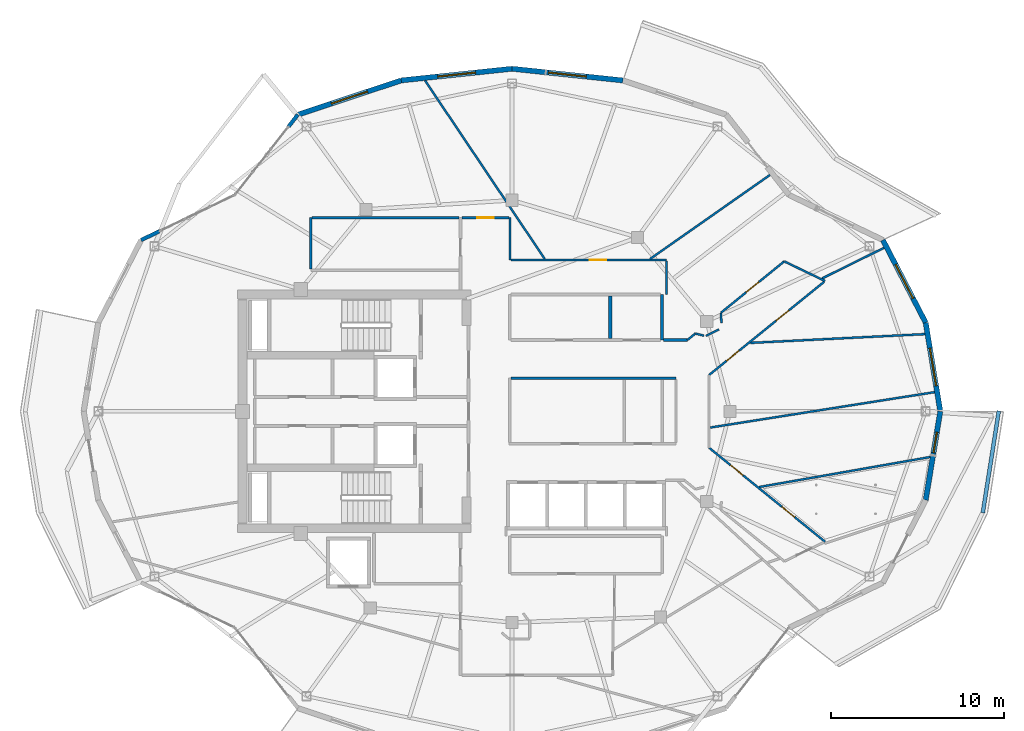
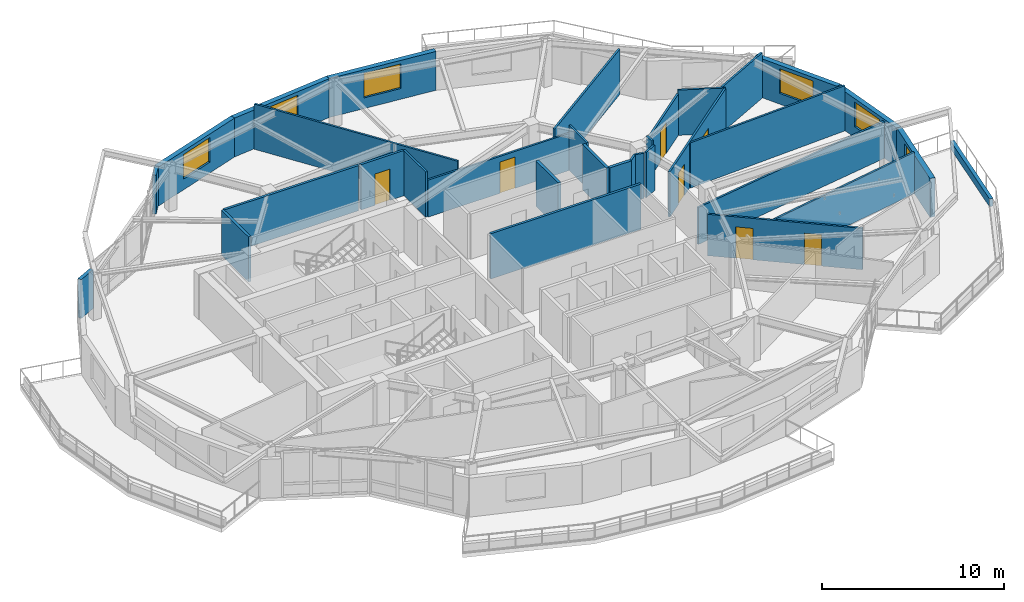
# One storey, part 10 of 16: 33 walls, 7 doors, 6 windows, 13 openings.
"""IFC4 building model written with IfcOpenShell, lengths in metres."""

from ifc_helpers import new_model, si_unit, direction, frame, frame_2d, origin, place, context, subcontext, project, spatial, rectangle, extrude, material, layer, layer_set, type_object, element, fill, save


model = new_model("IFC4")

# Units and contexts
model_context = context("Model", 3, precision=1e-05, world=origin(), true_north=direction((0.0, 1.0)))
body_context = subcontext(model_context, "Body", "Model", "MODEL_VIEW")
ifc_project = project(units=[si_unit("LENGTHUNIT", "METRE"), si_unit("AREAUNIT", "SQUARE_METRE"), si_unit("VOLUMEUNIT", "CUBIC_METRE"), si_unit("PLANEANGLEUNIT", "RADIAN"), si_unit("MASSUNIT", "GRAM", prefix="KILO")], contexts=[model_context])

# Site, building, storey
site_placement = place(None, origin())
site = spatial("IfcSite", under=ifc_project, at=site_placement, CompositionType="ELEMENT")
building_placement = place(site_placement, origin())
building = spatial("IfcBuilding", under=site, at=building_placement, Name="Kolvaren Gate Tower and Convention Centre", CompositionType="ELEMENT")
storey_placement = place(building_placement, frame((0.0, 0.0, 219.5)))
storey = spatial("IfcBuildingStorey", under=building, at=storey_placement, Name="L58", CompositionType="ELEMENT", Elevation=219.5)

# Walls
ifc_material_1 = material(Name="Autoclaved Aerated Masonry Blockwork Class 4 (4.0 MPa)", Category="masonry")
ifc_layer_1 = layer(ifc_material_1, 0.179931640625)
ifc_layer_set_1 = layer_set([ifc_layer_1], Name="Autoclaved Aerated Masonry Blockwork Class 4 (4.0 MPa)")
wall_type_1 = type_object("IfcWallType", Name="ARCH-WL-COMP-180", PredefinedType="SOLIDWALL", material=ifc_layer_set_1)
wall_1_placement = place(storey_placement, frame((38.800048828125, 31.1201171875, 0.0), z_axis=(0.0, 0.0, 1.0), x_axis=(0.0, 1.0, 0.0)))
element("IfcWall", 1, at=wall_1_placement, inside=storey, type_object=wall_type_1, Name="Interior Partition WL-L58-INT-022", PredefinedType="SOLIDWALL", context=body_context, shape_type="SweptSolid", body=[
    extrude(rectangle(XDim=2.6298828125, YDim=0.179931640625, at=frame_2d((1.31494140625, 0.0))), origin(), (0.0, 0.0, 1.0), 3.030029296875),
])
wall_2_placement = place(storey_placement, frame((38.89208984375, 31.1201171875, 0.0), z_axis=(0.0, 0.0, 1.0), x_axis=(1.0, 0.0, 0.0)))
element("IfcWall", 2, at=wall_2_placement, inside=storey, type_object=wall_type_1, Name="Interior Partition WL-L58-INT-023 (2)", PredefinedType="SOLIDWALL", context=body_context, shape_type="SweptSolid", body=[
    extrude(rectangle(XDim=1.36279296875, YDim=0.179931640625, at=frame_2d((0.681396484375, 0.0))), origin(), (0.0, 0.0, 1.0), 3.030029296875),
])
wall_3_placement = place(storey_placement, frame((35.800048828125, 31.2119140625, 0.0), z_axis=(0.0, 0.0, 1.0), x_axis=(0.0, 1.0, 0.0)))
element("IfcWall", 3, at=wall_3_placement, inside=storey, type_object=wall_type_1, Name="Interior Partition WL-L58-INT-025", PredefinedType="SOLIDWALL", context=body_context, shape_type="SweptSolid", body=[
    extrude(rectangle(XDim=2.446044921875, YDim=0.179931640625, at=frame_2d((1.22314453125, 0.0))), origin(), (0.0, 0.0, 1.0), 3.030029296875),
])
ifc_material_2 = material(Name="Fire-Rated Acoustic Gypsum Stud Partition", Category="gypsum")
ifc_layer_2 = layer(ifc_material_2, 0.1201171875)
ifc_layer_set_2 = layer_set([ifc_layer_2], Name="Fire-Rated Acoustic Gypsum Stud Partition")
wall_type_2 = type_object("IfcWallType", Name="ARCH-WL-PART-120", PredefinedType="PARTITIONING", material=ifc_layer_set_2)
wall_4_placement = place(storey_placement, frame((30.0, 35.75, 0.0), z_axis=(0.0, 0.0, 1.0), x_axis=(0.0, 1.0, 0.0)))
element("IfcWall", 4, at=wall_4_placement, inside=storey, type_object=wall_type_2, Name="Interior Partition WL-L58-INT-017", PredefinedType="PARTITIONING", context=body_context, shape_type="SweptSolid", body=[
    extrude(rectangle(XDim=2.449951171875, YDim=0.1201171875, at=frame_2d((1.22509765625, 0.0))), origin(), (0.0, 0.0, 1.0), 3.030029296875),
])

# Wall, opening, door
wall_5_placement = place(storey_placement, frame((30.06201171875, 35.75, 0.0), z_axis=(0.0, 0.0, 1.0), x_axis=(1.0, 0.0, 0.0)))
wall_5 = element("IfcWall", 5, at=wall_5_placement, inside=storey, type_object=wall_type_2, Name="Interior Partition WL-L58-INT-031", PredefinedType="PARTITIONING", context=body_context, shape_type="SweptSolid", body=[
    extrude(rectangle(XDim=8.988037109375, YDim=0.1201171875, at=frame_2d((4.494140625, 0.0))), origin(), (0.0, 0.0, 1.0), 2.47802734375),
])
opening_1_placement = place(wall_5_placement, frame((4.566650390625, 0.0, 0.0)))
opening_1 = element("IfcOpeningElement", 6, at=opening_1_placement, cuts=wall_5, Name="Opening DR-01", PredefinedType="OPENING", context=body_context, shape_type="SweptSolid", body=[
    extrude(rectangle(XDim=0.949951171875, YDim=2.10009765625, at=frame_2d((0.47509765625, 1.050048828125))), frame((0.0, 0.070068359375, 0.0), z_axis=(0.0, -1.0, 0.0), x_axis=(1.0, 0.0, 0.0)), (0.0, 0.0, 1.0), 0.14013671875),
])
ifc_material_3 = material(Name="Painted Architectural Steelwork ASTM A500 Grade C 345 MPa", Category="steel")
door_type = type_object("IfcDoorType", Name="ARCH-DR-RISER-950", OperationType="SINGLE_SWING_RIGHT", PredefinedType="DOOR", material=ifc_material_3)
door_1_placement = place(opening_1_placement, origin())
door_1 = element("IfcDoor", 7, at=door_1_placement, inside=storey, type_object=door_type, Name="Resident Private Study and Home Office Door", OperationType="SINGLE_SWING_LEFT", OverallHeight=2.10009765625, OverallWidth=0.949951171875, PredefinedType="DOOR", context=body_context, shape_type="SweptSolid", body=[
    extrude(rectangle(XDim=0.949951171875, YDim=2.10009765625, at=frame_2d((0.47509765625, 1.050048828125))), frame((0.0, 0.02490234375, 0.0), z_axis=(0.0, -1.0, 0.0), x_axis=(1.0, 0.0, 0.0)), (0.0, 0.0, 1.0), 0.050048828125),
])
fill(opening_1, door_1)

# Walls
wall_6_placement = place(storey_placement, frame((39.050048828125, 33.75, 0.0), z_axis=(0.0, 0.0, 1.0), x_axis=(0.0, 1.0, 0.0)))
element("IfcWall", 8, at=wall_6_placement, inside=storey, type_object=wall_type_2, Name="Interior Partition WL-L58-INT-033", PredefinedType="PARTITIONING", context=body_context, shape_type="SweptSolid", body=[
    extrude(rectangle(XDim=1.93798828125, YDim=0.1201171875, at=frame_2d((0.968994140625, 0.0))), origin(), (0.0, 0.0, 1.0), 3.030029296875),
])
wall_7_placement = place(storey_placement, frame((40.2548828125, 31.1201171875, 0.0), z_axis=(0.0, 0.0, 1.0), x_axis=(0.776423627794, 0.630211353598, 0.0)))
element("IfcWall", 9, at=wall_7_placement, inside=storey, type_object=wall_type_2, Name="Interior Partition WL-L58-INT-034", PredefinedType="PARTITIONING", context=body_context, shape_type="SweptSolid", body=[
    extrude(rectangle(XDim=0.602783203125, YDim=0.1201171875, at=frame_2d((0.30126953125, 0.0))), origin(), (0.0, 0.0, 1.0), 3.030029296875),
])

# Wall, opening, door
wall_8_placement = place(storey_placement, frame((42.1962890625, 32.6962890625, 0.0), z_axis=(0.0, 0.0, 1.0), x_axis=(0.776319732197, 0.630339331949, 0.0)))
wall_8 = element("IfcWall", 10, at=wall_8_placement, inside=storey, type_object=wall_type_2, Name="Interior Partition WL-L58-INT-035", PredefinedType="PARTITIONING", context=body_context, shape_type="SweptSolid", body=[
    extrude(rectangle(XDim=4.718017578125, YDim=0.1201171875, at=frame_2d((2.35888671875, 0.0))), origin(), (0.0, 0.0, 1.0), 2.77001953125),
])
opening_2_placement = place(wall_8_placement, frame((1.884033203125, 0.0, 0.0)))
opening_2 = element("IfcOpeningElement", 11, at=opening_2_placement, cuts=wall_8, Name="Opening DR-01", PredefinedType="OPENING", context=body_context, shape_type="SweptSolid", body=[
    extrude(rectangle(XDim=0.949951171875, YDim=2.10009765625, at=frame_2d((0.47509765625, 1.050048828125))), frame((0.0, 0.070068359375, 0.0), z_axis=(0.0, -1.0, 0.0), x_axis=(1.0, 0.0, 0.0)), (0.0, 0.0, 1.0), 0.14013671875),
])
door_2_placement = place(opening_2_placement, origin())
door_2 = element("IfcDoor", 12, at=door_2_placement, inside=storey, type_object=door_type, Name="Resident Quiet Study Office Door", OperationType="SINGLE_SWING_RIGHT", OverallHeight=2.10009765625, OverallWidth=0.949951171875, PredefinedType="DOOR", context=body_context, shape_type="SweptSolid", body=[
    extrude(rectangle(XDim=0.949951171875, YDim=2.10009765625, at=frame_2d((0.47509765625, 1.050048828125))), frame((0.0, 0.02490234375, 0.0), z_axis=(0.0, -1.0, 0.0), x_axis=(1.0, 0.0, 0.0)), (0.0, 0.0, 1.0), 0.050048828125),
])
fill(opening_2, door_2)

# Walls
wall_9_placement = place(storey_placement, frame((40.722900390625, 31.5, 0.0), z_axis=(0.0, 0.0, 1.0), x_axis=(0.970029850173, -0.24298578101, 0.0)))
element("IfcWall", 13, at=wall_9_placement, inside=storey, type_object=wall_type_2, Name="Interior Partition WL-L58-INT-036", PredefinedType="PARTITIONING", context=body_context, shape_type="SweptSolid", body=[
    extrude(rectangle(XDim=0.510498046875, YDim=0.1201171875, at=frame_2d((0.25537109375, 0.0))), origin(), (0.0, 0.0, 1.0), 3.030029296875),
])
wall_10_placement = place(storey_placement, frame((42.197998046875, 32.694091796875, 0.0), z_axis=(0.0, 0.0, 1.0), x_axis=(0.048629948931, -0.998816864128, 0.0)))
element("IfcWall", 14, at=wall_10_placement, inside=storey, type_object=wall_type_2, Name="Interior Partition WL-L58-INT-037", PredefinedType="PARTITIONING", context=body_context, shape_type="SweptSolid", body=[
    extrude(rectangle(XDim=0.577392578125, YDim=0.1201171875, at=frame_2d((0.28857421875, 0.0))), origin(), (0.0, 0.0, 1.0), 3.030029296875),
])
wall_11_placement = place(storey_placement, frame((45.864013671875, 35.6640625, 0.0), z_axis=(0.0, 0.0, 1.0), x_axis=(0.901492416592, -0.432794896951, 0.0)))
element("IfcWall", 15, at=wall_11_placement, inside=storey, type_object=wall_type_2, Name="Interior Partition WL-L58-INT-038", PredefinedType="PARTITIONING", context=body_context, shape_type="SweptSolid", body=[
    extrude(rectangle(XDim=2.611328125, YDim=0.1201171875, at=frame_2d((1.3056640625, 0.0))), origin(), (0.0, 0.0, 1.0), 3.030029296875),
])

# Wall, openings, doors
wall_12_placement = place(storey_placement, frame((41.52001953125, 29.10791015625, 0.0), z_axis=(0.0, 0.0, 1.0), x_axis=(0.777032738693, 0.629460183808, 0.0)))
wall_12 = element("IfcWall", 16, at=wall_12_placement, inside=storey, type_object=wall_type_2, Name="Interior Partition WL-L58-INT-039", PredefinedType="PARTITIONING", context=body_context, shape_type="SweptSolid", body=[
    extrude(rectangle(XDim=8.551513671875, YDim=0.1201171875, at=frame_2d((4.27587890625, 0.0))), origin(), (0.0, 0.0, 1.0), 3.030029296875),
])
opening_3_placement = place(wall_12_placement, frame((1.2783203125, 0.0, 0.0)))
opening_3 = element("IfcOpeningElement", 17, at=opening_3_placement, cuts=wall_12, Name="Opening DR-01", PredefinedType="OPENING", context=body_context, shape_type="SweptSolid", body=[
    extrude(rectangle(XDim=0.949951171875, YDim=2.10009765625, at=frame_2d((0.47509765625, 1.050048828125))), frame((0.0, 0.070068359375, 0.0), z_axis=(0.0, -1.0, 0.0), x_axis=(1.0, 0.0, 0.0)), (0.0, 0.0, 1.0), 0.14013671875),
])
opening_4_placement = place(wall_12_placement, frame((4.976806640625, 0.0, 0.0)))
opening_4 = element("IfcOpeningElement", 18, at=opening_4_placement, cuts=wall_12, Name="Opening DR-01", PredefinedType="OPENING", context=body_context, shape_type="SweptSolid", body=[
    extrude(rectangle(XDim=0.949951171875, YDim=2.10009765625, at=frame_2d((0.47509765625, 1.050048828125))), frame((0.0, 0.070068359375, 0.0), z_axis=(0.0, -1.0, 0.0), x_axis=(1.0, 0.0, 0.0)), (0.0, 0.0, 1.0), 0.14013671875),
])
door_3_placement = place(opening_3_placement, origin())
door_3 = element("IfcDoor", 19, at=door_3_placement, inside=storey, type_object=door_type, Name="Resident Quiet Study Office Door", OperationType="SINGLE_SWING_RIGHT", OverallHeight=2.10009765625, OverallWidth=0.949951171875, PredefinedType="DOOR", context=body_context, shape_type="SweptSolid", body=[
    extrude(rectangle(XDim=0.949951171875, YDim=2.10009765625, at=frame_2d((0.47509765625, 1.050048828125))), frame((0.0, 0.02490234375, 0.0), z_axis=(0.0, -1.0, 0.0), x_axis=(1.0, 0.0, 0.0)), (0.0, 0.0, 1.0), 0.050048828125),
])
fill(opening_3, door_3)
door_4_placement = place(opening_4_placement, origin())
door_4 = element("IfcDoor", 20, at=door_4_placement, inside=storey, type_object=door_type, Name="Resident Private Workroom Door", OperationType="SINGLE_SWING_LEFT", OverallHeight=2.10009765625, OverallWidth=0.949951171875, PredefinedType="DOOR", context=body_context, shape_type="SweptSolid", body=[
    extrude(rectangle(XDim=0.949951171875, YDim=2.10009765625, at=frame_2d((0.47509765625, 1.050048828125))), frame((0.0, 0.02490234375, 0.0), z_axis=(0.0, -1.0, 0.0), x_axis=(1.0, 0.0, 0.0)), (0.0, 0.0, 1.0), 0.050048828125),
])
fill(opening_4, door_4)

wall_13_placement = place(storey_placement, frame((41.52001953125, 24.89208984375, 0.0), z_axis=(0.0, 0.0, 1.0), x_axis=(0.777027167904, -0.629467060567, 0.0)))
wall_13 = element("IfcWall", 21, at=wall_13_placement, inside=storey, type_object=wall_type_2, Name="Interior Partition WL-L58-INT-041", PredefinedType="PARTITIONING", context=body_context, shape_type="SweptSolid", body=[
    extrude(rectangle(XDim=8.6201171875, YDim=0.1201171875, at=frame_2d((4.31005859375, 0.0))), origin(), (0.0, 0.0, 1.0), 2.77001953125),
])
opening_5_placement = place(wall_13_placement, frame((5.399658203125, 0.0, 0.0)))
opening_5 = element("IfcOpeningElement", 22, at=opening_5_placement, cuts=wall_13, Name="Opening DR-01", PredefinedType="OPENING", context=body_context, shape_type="SweptSolid", body=[
    extrude(rectangle(XDim=0.949951171875, YDim=2.10009765625, at=frame_2d((0.47509765625, 1.050048828125))), frame((0.0, 0.070068359375, 0.0), z_axis=(0.0, -1.0, 0.0), x_axis=(1.0, 0.0, 0.0)), (0.0, 0.0, 1.0), 0.14013671875),
])
opening_6_placement = place(wall_13_placement, frame((1.577880859375, 0.0, 0.0)))
opening_6 = element("IfcOpeningElement", 23, at=opening_6_placement, cuts=wall_13, Name="Opening DR-01", PredefinedType="OPENING", context=body_context, shape_type="SweptSolid", body=[
    extrude(rectangle(XDim=0.949951171875, YDim=2.10009765625, at=frame_2d((0.47509765625, 1.050048828125))), frame((0.0, 0.070068359375, 0.0), z_axis=(0.0, -1.0, 0.0), x_axis=(1.0, 0.0, 0.0)), (0.0, 0.0, 1.0), 0.14013671875),
])
door_5_placement = place(opening_5_placement, origin())
door_5 = element("IfcDoor", 24, at=door_5_placement, inside=storey, type_object=door_type, Name="Resident Sauna and Wellness Spa Door", OperationType="SINGLE_SWING_RIGHT", OverallHeight=2.10009765625, OverallWidth=0.949951171875, PredefinedType="DOOR", context=body_context, shape_type="SweptSolid", body=[
    extrude(rectangle(XDim=0.949951171875, YDim=2.10009765625, at=frame_2d((0.47509765625, 1.050048828125))), frame((0.0, 0.02490234375, 0.0), z_axis=(0.0, -1.0, 0.0), x_axis=(1.0, 0.0, 0.0)), (0.0, 0.0, 1.0), 0.050048828125),
])
fill(opening_5, door_5)
door_6_placement = place(opening_6_placement, origin())
door_6 = element("IfcDoor", 25, at=door_6_placement, inside=storey, type_object=door_type, Name="Resident Private Study Door", OperationType="SINGLE_SWING_LEFT", OverallHeight=2.10009765625, OverallWidth=0.949951171875, PredefinedType="DOOR", context=body_context, shape_type="SweptSolid", body=[
    extrude(rectangle(XDim=0.949951171875, YDim=2.10009765625, at=frame_2d((0.47509765625, 1.050048828125))), frame((0.0, 0.02490234375, 0.0), z_axis=(0.0, -1.0, 0.0), x_axis=(1.0, 0.0, 0.0)), (0.0, 0.0, 1.0), 0.050048828125),
])
fill(opening_6, door_6)

# Walls
wall_14_placement = place(storey_placement, frame((41.58203125, 26.06640625, 0.0), z_axis=(0.0, 0.0, 1.0), x_axis=(0.987780616659, 0.155850740621, 0.0)))
element("IfcWall", 26, at=wall_14_placement, inside=storey, type_object=wall_type_2, Name="Interior Partition WL-L58-INT-058", PredefinedType="PARTITIONING", context=body_context, shape_type="SweptSolid", body=[
    extrude(rectangle(XDim=13.1162109375, YDim=0.1201171875, at=frame_2d((6.55810546875, 0.0))), origin(), (0.0, 0.0, 1.0), 2.47802734375),
])
wall_15_placement = place(storey_placement, frame((44.411865234375, 22.629150390625, 0.0), z_axis=(0.0, 0.0, 1.0), x_axis=(0.984937605234, 0.172910132136, 0.0)))
element("IfcWall", 27, at=wall_15_placement, inside=storey, type_object=wall_type_2, Name="Interior Partition WL-L58-INT-065", PredefinedType="PARTITIONING", context=body_context, shape_type="SweptSolid", body=[
    extrude(rectangle(XDim=10.0263671875, YDim=0.1201171875, at=frame_2d((5.01318359375, 0.0))), origin(), (0.0, 0.0, 1.0), 2.77001953125),
])
wall_16_placement = place(storey_placement, frame((43.9013671875, 30.957275390625, 0.0), z_axis=(0.0, 0.0, 1.0), x_axis=(0.998738311517, 0.050217378547, 0.0)))
element("IfcWall", 28, at=wall_16_placement, inside=storey, type_object=wall_type_2, Name="Interior Partition WL-L58-INT-066", PredefinedType="PARTITIONING", context=body_context, shape_type="SweptSolid", body=[
    extrude(rectangle(XDim=10.09765625, YDim=0.1201171875, at=frame_2d((5.048828125, 0.0))), origin(), (0.0, 0.0, 1.0), 3.030029296875),
])
wall_17_placement = place(storey_placement, frame((41.326171875, 31.363525390625, 0.0), z_axis=(0.0, 0.0, 1.0), x_axis=(0.896444200568, 0.443156626112, 0.0)))
element("IfcWall", 29, at=wall_17_placement, inside=storey, type_object=wall_type_2, Name="Interior Partition WL-L58-INT-067", PredefinedType="PARTITIONING", context=body_context, shape_type="SweptSolid", body=[
    extrude(rectangle(XDim=0.843505859375, YDim=0.1201171875, at=frame_2d((0.421875, 0.0))), origin(), (0.0, 0.0, 1.0), 3.030029296875),
])
wall_18_placement = place(storey_placement, frame((48.046875, 34.68505859375, 0.0), z_axis=(0.0, 0.0, 1.0), x_axis=(0.896512119569, 0.443019208912, 0.0)))
element("IfcWall", 30, at=wall_18_placement, inside=storey, type_object=wall_type_2, Name="Interior Partition WL-L58-INT-068", PredefinedType="PARTITIONING", context=body_context, shape_type="SweptSolid", body=[
    extrude(rectangle(XDim=3.986083984375, YDim=0.1201171875, at=frame_2d((1.9931640625, 0.0))), origin(), (0.0, 0.0, 1.0), 3.030029296875),
])
wall_19_placement = place(storey_placement, frame((38.109619140625, 35.81201171875, 0.0), z_axis=(0.0, 0.0, 1.0), x_axis=(0.81888313017, 0.57396029403, 0.0)))
element("IfcWall", 31, at=wall_19_placement, inside=storey, type_object=wall_type_2, Name="Interior Partition WL-L58-INT-069", PredefinedType="PARTITIONING", context=body_context, shape_type="SweptSolid", body=[
    extrude(rectangle(XDim=8.454833984375, YDim=0.1201171875, at=frame_2d((4.2275390625, 0.0))), origin(), (0.0, 0.0, 1.0), 3.030029296875),
])
wall_20_placement = place(storey_placement, frame((25.1005859375, 46.117919921875, 0.0), z_axis=(0.0, 0.0, 1.0), x_axis=(0.557162782685, -0.830403295749, 0.0)))
element("IfcWall", 32, at=wall_20_placement, inside=storey, type_object=wall_type_2, Name="Interior Partition WL-L58-INT-070", PredefinedType="PARTITIONING", context=body_context, shape_type="SweptSolid", body=[
    extrude(rectangle(XDim=12.41064453125, YDim=0.1201171875, at=frame_2d((6.205322265625, 0.0))), origin(), (0.0, 0.0, 1.0), 3.030029296875),
])
ifc_material_4 = material(Name="Bogota Sabana Bush-Hammered Sandstone Cladding", Category="masonry")
ifc_layer_3 = layer(ifc_material_4, 0.219970703125)
ifc_layer_set_3 = layer_set([ifc_layer_3], Name="Bogota Sabana Bush-Hammered Sandstone Cladding")
wall_type_3 = type_object("IfcWallType", Name="ARCH-WL-PIER-220", PredefinedType="SOLIDWALL", material=ifc_layer_set_3)
wall_21_placement = place(storey_placement, frame((17.210205078125, 43.457763671875, 0.0), z_axis=(0.0, 0.0, 1.0), x_axis=(0.616466126167, 0.787381429352, 0.0)))
element("IfcWall", 33, at=wall_21_placement, inside=storey, type_object=wall_type_3, Name="Tower L58 Unitised Curtain Wall CW-RES-UNIT Bay 08 Right Column Pier Wrap", PredefinedType="SOLIDWALL", context=body_context, shape_type="SweptSolid", body=[
    extrude(rectangle(XDim=0.875732421875, YDim=0.219970703125, at=frame_2d((0.43798828125, 0.0))), origin(), (0.0, 0.0, 1.0), 2.60498046875),
])
wall_22_placement = place(storey_placement, frame((8.69091796875, 36.89990234375, 0.0), z_axis=(0.0, 0.0, 1.0), x_axis=(0.901264843027, 0.433268603437, 0.0)))
element("IfcWall", 34, at=wall_22_placement, inside=storey, type_object=wall_type_3, Name="Tower L58 Unitised Curtain Wall CW-RES-UNIT Bay 09 Left Column Pier Wrap", PredefinedType="SOLIDWALL", context=body_context, shape_type="SweptSolid", body=[
    extrude(rectangle(XDim=1.18115234375, YDim=0.219970703125, at=frame_2d((0.590576171875, 0.0))), origin(), (0.0, 0.0, 1.0), 2.60498046875),
])
ifc_material_5 = material(Name="Piedmont Cream Honed Limestone Cladding", Category="masonry")
ifc_layer_4 = layer(ifc_material_5, 0.219970703125)
ifc_layer_set_4 = layer_set([ifc_layer_4], Name="Piedmont Cream Honed Limestone Cladding")
wall_type_4 = type_object("IfcWallType", Name="ARCH-WL-PLANTER-220", PredefinedType="PARAPET", material=ifc_layer_set_4)
wall_23_placement = place(storey_placement, frame((57.331787109375, 21.1376953125, 0.0), z_axis=(0.0, 0.0, 1.0), x_axis=(0.1550711793, 0.987903299595, 0.0)))
element("IfcWall", 35, at=wall_23_placement, inside=storey, type_object=wall_type_4, Name="Vertical-Forest Balcony Stone Planter Kerb PK-L58-4.3", PredefinedType="PARAPET", context=body_context, shape_type="SweptSolid", body=[
    extrude(rectangle(XDim=5.963623046875, YDim=0.219970703125, at=frame_2d((2.98193359375, 0.0))), origin(), (0.0, 0.0, 1.0), 0.52001953125),
])

# Wall, opening, window
ifc_layer_5 = layer(ifc_material_5, 0.300048828125)
ifc_layer_set_5 = layer_set([ifc_layer_5], Name="Piedmont Cream Honed Limestone Cladding")
wall_type_5 = type_object("IfcWallType", Name="ARCH-WL-STONE-300", PredefinedType="SOLIDWALL", material=ifc_layer_set_5)
wall_24_placement = place(storey_placement, frame((54.03173828125, 32.12451171875, 0.0), z_axis=(0.0, 0.0, 1.0), x_axis=(0.16237087798, -0.986729799886, 0.0)))
wall_24 = element("IfcWall", 36, at=wall_24_placement, inside=storey, type_object=wall_type_5, Name="Tower L58 Honed Stone Spandrel Wall EW-00", PredefinedType="SOLIDWALL", context=body_context, shape_type="SweptSolid", body=[
    extrude(rectangle(XDim=5.193359375, YDim=0.300048828125, at=frame_2d((2.5966796875, 0.0))), origin(), (0.0, 0.0, 1.0), 2.60498046875),
])
opening_7_placement = place(wall_24_placement, frame((1.4970703125, 0.0, 0.719970703125)))
opening_7 = element("IfcOpeningElement", 37, at=opening_7_placement, cuts=wall_24, Name="Opening W-03", PredefinedType="OPENING", context=body_context, shape_type="SweptSolid", body=[
    extrude(rectangle(XDim=2.199951171875, YDim=1.64990234375, at=frame_2d((1.10009765625, 0.824951171875))), frame((0.0, 0.159912109375, 0.0), z_axis=(0.0, -1.0, 0.0), x_axis=(1.0, 0.0, 0.0)), (0.0, 0.0, 1.0), 0.320068359375),
])
ifc_material_6 = material(Name="Low-E Triple Insulated Glazing Unit 44 mm", Category="glass")
window_type_1 = type_object("IfcWindowType", Name="ARCH-WN-RES-2200", PartitioningType="SINGLE_PANEL", PredefinedType="WINDOW", material=ifc_material_6)
window_1_placement = place(opening_7_placement, origin())
window_1 = element("IfcWindow", 38, at=window_1_placement, inside=storey, type_object=window_type_1, Name="Tower L58 Punched Stone Facade Window W-00", OverallHeight=1.64990234375, OverallWidth=2.199951171875, PartitioningType="SINGLE_PANEL", PredefinedType="WINDOW", context=body_context, shape_type="SweptSolid", body=[
    extrude(rectangle(XDim=2.199951171875, YDim=1.64990234375, at=frame_2d((1.10009765625, 0.824951171875))), frame((0.0, 0.030029296875, 0.0), z_axis=(0.0, -1.0, 0.0), x_axis=(1.0, 0.0, 0.0)), (0.0, 0.0, 1.0), 0.06005859375),
])
fill(opening_7, window_1)

wall_25_placement = place(storey_placement, frame((51.55908203125, 36.89990234375, 0.0), z_axis=(0.0, 0.0, 1.0), x_axis=(0.459808219482, -0.888018243786, 0.0)))
wall_25 = element("IfcWall", 39, at=wall_25_placement, inside=storey, type_object=wall_type_5, Name="Tower L58 Honed Stone Spandrel Wall EW-01", PredefinedType="SOLIDWALL", context=body_context, shape_type="SweptSolid", body=[
    extrude(rectangle(XDim=5.377685546875, YDim=0.300048828125, at=frame_2d((2.68896484375, 0.0))), origin(), (0.0, 0.0, 1.0), 2.60498046875),
])
opening_8_placement = place(wall_25_placement, frame((1.589111328125, 0.0, 0.719970703125)))
opening_8 = element("IfcOpeningElement", 40, at=opening_8_placement, cuts=wall_25, Name="Opening W-03", PredefinedType="OPENING", context=body_context, shape_type="SweptSolid", body=[
    extrude(rectangle(XDim=2.199951171875, YDim=1.64990234375, at=frame_2d((1.10009765625, 0.824951171875))), frame((0.0, 0.159912109375, 0.0), z_axis=(0.0, -1.0, 0.0), x_axis=(1.0, 0.0, 0.0)), (0.0, 0.0, 1.0), 0.320068359375),
])
window_2_placement = place(opening_8_placement, origin())
window_2 = element("IfcWindow", 41, at=window_2_placement, inside=storey, type_object=window_type_1, Name="Tower L58 Punched Stone Facade Window W-01", OverallHeight=1.64990234375, OverallWidth=2.199951171875, PartitioningType="SINGLE_PANEL", PredefinedType="WINDOW", context=body_context, shape_type="SweptSolid", body=[
    extrude(rectangle(XDim=2.199951171875, YDim=1.64990234375, at=frame_2d((1.10009765625, 0.824951171875))), frame((0.0, 0.030029296875, 0.0), z_axis=(0.0, -1.0, 0.0), x_axis=(1.0, 0.0, 0.0)), (0.0, 0.0, 1.0), 0.06005859375),
])
fill(opening_8, window_2)

wall_26_placement = place(storey_placement, frame((30.125, 46.800048828125, 0.0), z_axis=(0.0, 0.0, 1.0), x_axis=(0.994497142298, -0.104763705363, 0.0)))
wall_26 = element("IfcWall", 42, at=wall_26_placement, inside=storey, type_object=wall_type_5, Name="Tower L58 Honed Stone Spandrel Wall EW-05", PredefinedType="SOLIDWALL", context=body_context, shape_type="SweptSolid", body=[
    extrude(rectangle(XDim=6.441162109375, YDim=0.300048828125, at=frame_2d((3.220703125, 0.0))), origin(), (0.0, 0.0, 1.0), 2.60498046875),
])
opening_9_placement = place(wall_26_placement, frame((2.12109375, 0.0, 0.719970703125)))
opening_9 = element("IfcOpeningElement", 43, at=opening_9_placement, cuts=wall_26, Name="Opening W-03", PredefinedType="OPENING", context=body_context, shape_type="SweptSolid", body=[
    extrude(rectangle(XDim=2.199951171875, YDim=1.64990234375, at=frame_2d((1.10009765625, 0.824951171875))), frame((0.0, 0.159912109375, 0.0), z_axis=(0.0, -1.0, 0.0), x_axis=(1.0, 0.0, 0.0)), (0.0, 0.0, 1.0), 0.320068359375),
])
window_3_placement = place(opening_9_placement, origin())
window_3 = element("IfcWindow", 44, at=window_3_placement, inside=storey, type_object=window_type_1, Name="Tower L58 Punched Stone Facade Window W-05", OverallHeight=1.64990234375, OverallWidth=2.199951171875, PartitioningType="SINGLE_PANEL", PredefinedType="WINDOW", context=body_context, shape_type="SweptSolid", body=[
    extrude(rectangle(XDim=2.199951171875, YDim=1.64990234375, at=frame_2d((1.10009765625, 0.824951171875))), frame((0.0, 0.030029296875, 0.0), z_axis=(0.0, -1.0, 0.0), x_axis=(1.0, 0.0, 0.0)), (0.0, 0.0, 1.0), 0.06005859375),
])
fill(opening_9, window_3)

wall_27_placement = place(storey_placement, frame((23.71923828125, 46.125244140625, 0.0), z_axis=(0.0, 0.0, 1.0), x_axis=(0.994497142298, 0.104763705363, 0.0)))
wall_27 = element("IfcWall", 45, at=wall_27_placement, inside=storey, type_object=wall_type_5, Name="Tower L58 Honed Stone Spandrel Wall EW-06", PredefinedType="SOLIDWALL", context=body_context, shape_type="SweptSolid", body=[
    extrude(rectangle(XDim=6.441162109375, YDim=0.300048828125, at=frame_2d((3.220703125, 0.0))), origin(), (0.0, 0.0, 1.0), 2.60498046875),
])
opening_10_placement = place(wall_27_placement, frame((2.12109375, 0.0, 0.719970703125)))
opening_10 = element("IfcOpeningElement", 46, at=opening_10_placement, cuts=wall_27, Name="Opening W-03", PredefinedType="OPENING", context=body_context, shape_type="SweptSolid", body=[
    extrude(rectangle(XDim=2.199951171875, YDim=1.64990234375, at=frame_2d((1.10009765625, 0.824951171875))), frame((0.0, 0.159912109375, 0.0), z_axis=(0.0, -1.0, 0.0), x_axis=(1.0, 0.0, 0.0)), (0.0, 0.0, 1.0), 0.320068359375),
])
window_4_placement = place(opening_10_placement, origin())
window_4 = element("IfcWindow", 47, at=window_4_placement, inside=storey, type_object=window_type_1, Name="Tower L58 Punched Stone Facade Window W-06", OverallHeight=1.64990234375, OverallWidth=2.199951171875, PartitioningType="SINGLE_PANEL", PredefinedType="WINDOW", context=body_context, shape_type="SweptSolid", body=[
    extrude(rectangle(XDim=2.199951171875, YDim=1.64990234375, at=frame_2d((1.10009765625, 0.824951171875))), frame((0.0, 0.030029296875, 0.0), z_axis=(0.0, -1.0, 0.0), x_axis=(1.0, 0.0, 0.0)), (0.0, 0.0, 1.0), 0.06005859375),
])
fill(opening_10, window_4)

wall_28_placement = place(storey_placement, frame((17.75, 44.147216796875, 0.0), z_axis=(0.0, 0.0, 1.0), x_axis=(0.949240877604, 0.314550085495, 0.0)))
wall_28 = element("IfcWall", 48, at=wall_28_placement, inside=storey, type_object=wall_type_5, Name="Tower L58 Honed Stone Spandrel Wall EW-07", PredefinedType="SOLIDWALL", context=body_context, shape_type="SweptSolid", body=[
    extrude(rectangle(XDim=6.288330078125, YDim=0.300048828125, at=frame_2d((3.14404296875, 0.0))), origin(), (0.0, 0.0, 1.0), 2.60498046875),
])
opening_11_placement = place(wall_28_placement, frame((2.0439453125, 0.0, 0.719970703125)))
opening_11 = element("IfcOpeningElement", 49, at=opening_11_placement, cuts=wall_28, Name="Opening W-03", PredefinedType="OPENING", context=body_context, shape_type="SweptSolid", body=[
    extrude(rectangle(XDim=2.199951171875, YDim=1.64990234375, at=frame_2d((1.10009765625, 0.824951171875))), frame((0.0, 0.159912109375, 0.0), z_axis=(0.0, -1.0, 0.0), x_axis=(1.0, 0.0, 0.0)), (0.0, 0.0, 1.0), 0.320068359375),
])
window_5_placement = place(opening_11_placement, origin())
window_5 = element("IfcWindow", 50, at=window_5_placement, inside=storey, type_object=window_type_1, Name="Tower L58 Punched Stone Facade Window W-07", OverallHeight=1.64990234375, OverallWidth=2.199951171875, PartitioningType="SINGLE_PANEL", PredefinedType="WINDOW", context=body_context, shape_type="SweptSolid", body=[
    extrude(rectangle(XDim=2.199951171875, YDim=1.64990234375, at=frame_2d((1.10009765625, 0.824951171875))), frame((0.0, 0.030029296875, 0.0), z_axis=(0.0, -1.0, 0.0), x_axis=(1.0, 0.0, 0.0)), (0.0, 0.0, 1.0), 0.06005859375),
])
fill(opening_11, window_5)

wall_29_placement = place(storey_placement, frame((54.03173828125, 21.87548828125, 0.0), z_axis=(0.0, 0.0, 1.0), x_axis=(0.16237087798, 0.986729799886, 0.0)))
wall_29 = element("IfcWall", 51, at=wall_29_placement, inside=storey, type_object=wall_type_5, Name="Tower L58 Honed Stone Spandrel Wall EW-23", PredefinedType="SOLIDWALL", context=body_context, shape_type="SweptSolid", body=[
    extrude(rectangle(XDim=5.193359375, YDim=0.300048828125, at=frame_2d((2.5966796875, 0.0))), origin(), (0.0, 0.0, 1.0), 2.60498046875),
])
opening_12_placement = place(wall_29_placement, frame((2.780029296875, 0.0, 0.719970703125)))
opening_12 = element("IfcOpeningElement", 52, at=opening_12_placement, cuts=wall_29, Name="Opening W-04", PredefinedType="OPENING", context=body_context, shape_type="SweptSolid", body=[
    extrude(rectangle(XDim=1.199951171875, YDim=1.64990234375, at=frame_2d((0.60009765625, 0.824951171875))), frame((0.0, 0.159912109375, 0.0), z_axis=(0.0, -1.0, 0.0), x_axis=(1.0, 0.0, 0.0)), (0.0, 0.0, 1.0), 0.320068359375),
])
window_type_2 = type_object("IfcWindowType", Name="ARCH-WN-NARROW-1200", PartitioningType="SINGLE_PANEL", PredefinedType="WINDOW", material=ifc_material_6)
window_6_placement = place(opening_12_placement, origin())
window_6 = element("IfcWindow", 53, at=window_6_placement, inside=storey, type_object=window_type_2, Name="Tower L58 Punched Stone Facade Window W-23", OverallHeight=1.64990234375, OverallWidth=1.199951171875, PartitioningType="SINGLE_PANEL", PredefinedType="WINDOW", context=body_context, shape_type="SweptSolid", body=[
    extrude(rectangle(XDim=1.199951171875, YDim=1.64990234375, at=frame_2d((0.60009765625, 0.824951171875))), frame((0.0, 0.030029296875, 0.0), z_axis=(0.0, -1.0, 0.0), x_axis=(1.0, 0.0, 0.0)), (0.0, 0.0, 1.0), 0.06005859375),
])
fill(opening_12, window_6)

# Walls
ifc_material_7 = material(Name="Moisture-Resistant Cement-Board Acoustic Partition", Category="gypsum")
ifc_layer_6 = layer(ifc_material_7, 0.14990234375)
ifc_layer_set_6 = layer_set([ifc_layer_6], Name="Moisture-Resistant Cement-Board Acoustic Partition")
wall_type_6 = type_object("IfcWallType", Name="ARCH-WL-WET-150", PredefinedType="PARTITIONING", material=ifc_layer_set_6)
wall_30_placement = place(storey_placement, frame((30.076904296875, 28.919921875, 0.0), z_axis=(0.0, 0.0, 1.0), x_axis=(1.0, 0.0, 0.0)))
element("IfcWall", 54, at=wall_30_placement, inside=storey, type_object=wall_type_6, Name="Interior Partition WL-L58-INT-018", PredefinedType="PARTITIONING", context=body_context, shape_type="SweptSolid", body=[
    extrude(rectangle(XDim=9.523193359375, YDim=0.14990234375, at=frame_2d((4.76171875, 0.0))), origin(), (0.0, 0.0, 1.0), 3.030029296875),
])
wall_31_placement = place(storey_placement, frame((18.5, 35.237060546875, 0.0), z_axis=(0.0, 0.0, 1.0), x_axis=(0.0, 1.0, 0.0)))
element("IfcWall", 55, at=wall_31_placement, inside=storey, type_object=wall_type_6, Name="Interior Partition WL-L58-INT-029", PredefinedType="PARTITIONING", context=body_context, shape_type="SweptSolid", body=[
    extrude(rectangle(XDim=2.962890625, YDim=0.14990234375, at=frame_2d((1.4814453125, 0.0))), origin(), (0.0, 0.0, 1.0), 3.030029296875),
])
wall_32_placement = place(storey_placement, frame((18.576904296875, 38.199951171875, 0.0), z_axis=(0.0, 0.0, 1.0), x_axis=(1.0, 0.0, 0.0)))
element("IfcWall", 56, at=wall_32_placement, inside=storey, type_object=wall_type_6, Name="Interior Partition WL-L58-INT-030", PredefinedType="PARTITIONING", context=body_context, shape_type="SweptSolid", body=[
    extrude(rectangle(XDim=8.49609375, YDim=0.14990234375, at=frame_2d((4.248046875, 0.0))), origin(), (0.0, 0.0, 1.0), 3.030029296875),
])

# Wall, opening, door
wall_33_placement = place(storey_placement, frame((27.22705078125, 38.199951171875, 0.0), z_axis=(0.0, 0.0, 1.0), x_axis=(1.0, 0.0, 0.0)))
wall_33 = element("IfcWall", 57, at=wall_33_placement, inside=storey, type_object=wall_type_6, Name="Interior Partition WL-L58-INT-030 (2)", PredefinedType="PARTITIONING", context=body_context, shape_type="SweptSolid", body=[
    extrude(rectangle(XDim=2.7109375, YDim=0.14990234375, at=frame_2d((1.35546875, 0.0))), origin(), (0.0, 0.0, 1.0), 3.030029296875),
])
opening_13_placement = place(wall_33_placement, frame((0.880615234375, 0.0, 0.0)))
opening_13 = element("IfcOpeningElement", 58, at=opening_13_placement, cuts=wall_33, Name="Opening DR-01", PredefinedType="OPENING", context=body_context, shape_type="SweptSolid", body=[
    extrude(rectangle(XDim=0.949951171875, YDim=2.10009765625, at=frame_2d((0.47509765625, 1.050048828125))), frame((0.0, 0.0849609375, 0.0), z_axis=(0.0, -1.0, 0.0), x_axis=(1.0, 0.0, 0.0)), (0.0, 0.0, 1.0), 0.169921875),
])
door_7_placement = place(opening_13_placement, origin())
door_7 = element("IfcDoor", 59, at=door_7_placement, inside=storey, type_object=door_type, Name="Resident Private Study and Home Office Door", OperationType="SINGLE_SWING_RIGHT", OverallHeight=2.10009765625, OverallWidth=0.949951171875, PredefinedType="DOOR", context=body_context, shape_type="SweptSolid", body=[
    extrude(rectangle(XDim=0.949951171875, YDim=2.10009765625, at=frame_2d((0.47509765625, 1.050048828125))), frame((0.0, 0.02490234375, 0.0), z_axis=(0.0, -1.0, 0.0), x_axis=(1.0, 0.0, 0.0)), (0.0, 0.0, 1.0), 0.050048828125),
])
fill(opening_13, door_7)

save(model, "model.ifc")
